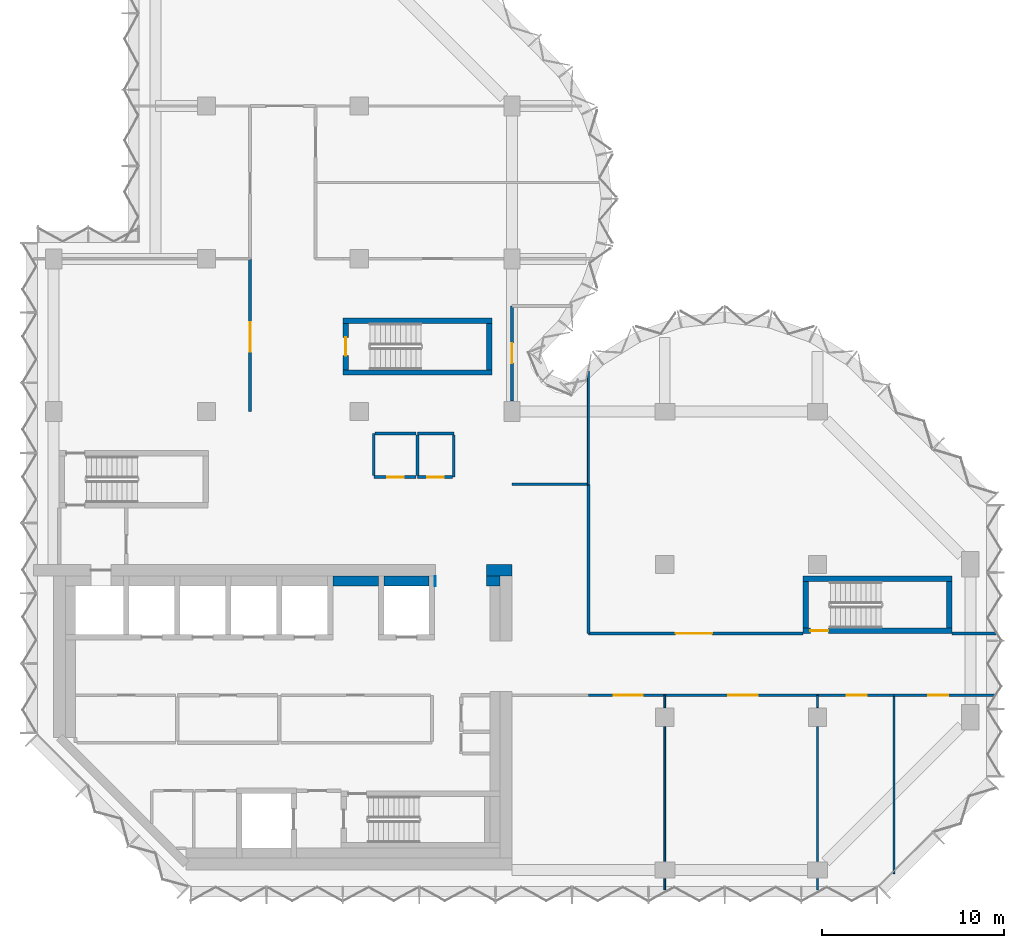
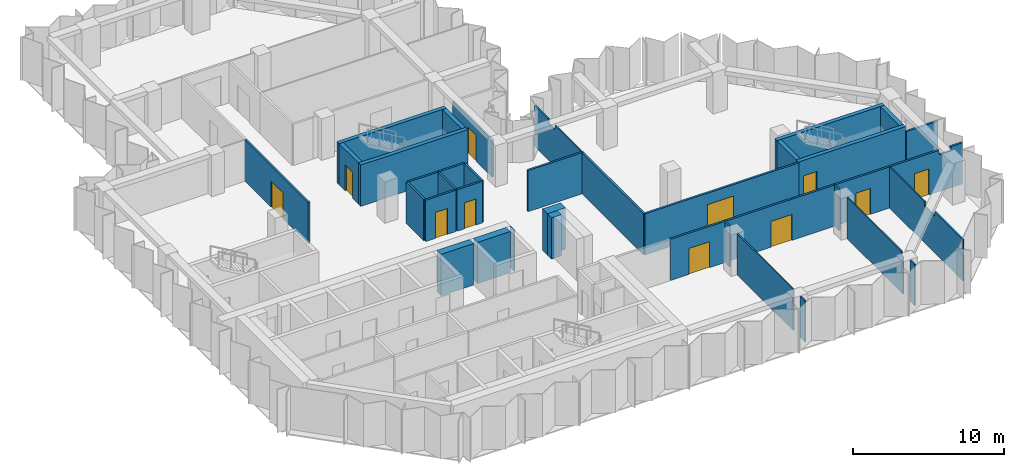
# One storey, part 6 of 9: 38 walls, 11 doors, 11 openings.
"""IFC4 building model written with IfcOpenShell, lengths in metres."""

from ifc_helpers import new_model, si_unit, direction, frame, frame_2d, origin, place, context, subcontext, project, spatial, polyline, rectangle, outline, extrude, material, layer, layer_set, type_object, element, fill, save


model = new_model("IFC4")

# Units and contexts
model_context = context("Model", 3, precision=1e-05, world=origin(), true_north=direction((0.0, 1.0)))
body_context = subcontext(model_context, "Body", "Model", "MODEL_VIEW")
ifc_project = project(units=[si_unit("LENGTHUNIT", "METRE"), si_unit("AREAUNIT", "SQUARE_METRE"), si_unit("VOLUMEUNIT", "CUBIC_METRE"), si_unit("PLANEANGLEUNIT", "RADIAN"), si_unit("MASSUNIT", "GRAM", prefix="KILO")], contexts=[model_context])

# Site, building, storey
site_placement = place(None, origin())
site = spatial("IfcSite", under=ifc_project, at=site_placement, CompositionType="ELEMENT")
building_placement = place(site_placement, origin())
building = spatial("IfcBuilding", under=site, at=building_placement, Name="Brevane Broadcast Tower", CompositionType="ELEMENT")
storey_placement = place(building_placement, frame((0.0, 0.0, 192.0)))
storey = spatial("IfcBuildingStorey", under=building, at=storey_placement, Name="L48", CompositionType="ELEMENT", Elevation=192.0)

# Walls
ifc_material_1 = material(Name="Concrete C32/40", Category="concrete")
ifc_layer_1 = layer(ifc_material_1, 0.550048828125)
ifc_layer_set_1 = layer_set([ifc_layer_1], Name="Core chase wall 550 mm")
wall_type_1 = type_object("IfcWallType", Name="Core chase wall 550 mm", PredefinedType="PARTITIONING", material=ifc_layer_set_1)
wall_1_placement = place(storey_placement, frame((23.800048828125, 15.875, 0.0), z_axis=(0.0, 0.0, 1.0), x_axis=(1.0, 0.0, 0.0)))
element("IfcWall", 1, at=wall_1_placement, inside=storey, type_object=wall_type_1, Name="L48 chase wall LN2", PredefinedType="PARTITIONING", context=body_context, shape_type="SweptSolid", body=[
    extrude(rectangle(XDim=0.75, YDim=0.550048828125, at=frame_2d((0.375, 0.0))), origin(), (0.0, 0.0, 1.0), 3.35009765625),
])
for number, where, z_axis, x_axis, name in (
    (2, (15.35009765625, 15.875, 0.0), (0.0, 0.0, 1.0), (1.0, 0.0, 0.0), "L48 chase wall LN1-2-2-2-2-2-1"),
    (3, (18.14990234375, 15.875, 0.0), (0.0, 0.0, 1.0), (1.0, 0.0, 0.0), "L48 chase wall LN1-2-2-2-2-2-2-1"),
):
    element("IfcWall", number, at=place(storey_placement, frame(where, z_axis=z_axis, x_axis=x_axis)), inside=storey, type_object=wall_type_1, Name=name, PredefinedType="PARTITIONING", context=body_context, shape_type="SweptSolid", body=[
        extrude(rectangle(XDim=2.5, YDim=0.550048828125, at=frame_2d((1.25, 0.0))), origin(), (0.0, 0.0, 1.0), 3.35009765625),
    ])
wall_2_placement = place(storey_placement, frame((20.949951171875, 15.875, 0.0), z_axis=(0.0, 0.0, 1.0), x_axis=(1.0, 0.0, 0.0)))
element("IfcWall", 4, at=wall_2_placement, inside=storey, type_object=wall_type_1, Name="L48 chase wall LN1-2-2-2-2-2-2-2", PredefinedType="PARTITIONING", context=body_context, shape_type="SweptSolid", body=[
    extrude(rectangle(XDim=0.050048828125, YDim=0.550048828125, at=frame_2d((0.02490234375, 0.0))), origin(), (0.0, 0.0, 1.0), 3.35009765625),
])
ifc_material_2 = material(Name="Gypsum board on steel studs", Category="steel")
ifc_layer_2 = layer(ifc_material_2, 0.14990234375)
ifc_layer_set_2 = layer_set([ifc_layer_2], Name="Core fire partition 150 mm")
wall_type_2 = type_object("IfcWallType", Name="Core fire partition 150 mm", PredefinedType="PARTITIONING", material=ifc_layer_set_2)
wall_3_placement = place(storey_placement, frame((20.0, 24.0, 0.0), z_axis=(0.0, 0.0, 1.0), x_axis=(1.0, 0.0, 0.0)))
element("IfcWall", 5, at=wall_3_placement, inside=storey, type_object=wall_type_2, Name="L48 partition wall P22", PredefinedType="PARTITIONING", context=body_context, shape_type="SweptSolid", body=[
    extrude(rectangle(XDim=2.0, YDim=0.14990234375, at=frame_2d((1.0, 0.0))), origin(), (0.0, 0.0, 1.0), 3.35009765625),
])
wall_4_placement = place(storey_placement, frame((22.0, 23.925048828125, 0.0), z_axis=(0.0, 0.0, 1.0), x_axis=(0.0, -1.0, 0.0)))
element("IfcWall", 6, at=wall_4_placement, inside=storey, type_object=wall_type_2, Name="L48 partition wall P23", PredefinedType="PARTITIONING", context=body_context, shape_type="SweptSolid", body=[
    extrude(rectangle(XDim=2.324951171875, YDim=0.14990234375, at=frame_2d((1.16259765625, 0.0))), origin(), (0.0, 0.0, 1.0), 3.35009765625),
])

# Wall, opening, door
wall_5_placement = place(storey_placement, frame((21.925048828125, 21.60009765625, 0.0), z_axis=(0.0, 0.0, 1.0), x_axis=(-1.0, 0.0, 0.0)))
wall_5 = element("IfcWall", 7, at=wall_5_placement, inside=storey, type_object=wall_type_2, Name="L48 partition wall P24", PredefinedType="PARTITIONING", context=body_context, shape_type="SweptSolid", body=[
    extrude(rectangle(XDim=1.925048828125, YDim=0.14990234375, at=frame_2d((0.96240234375, 0.0))), origin(), (0.0, 0.0, 1.0), 3.35009765625),
])
opening_1_placement = place(wall_5_placement, frame((0.47509765625, 0.0, 0.0)))
opening_1 = element("IfcOpeningElement", 8, at=opening_1_placement, cuts=wall_5, Name="Opening L48-K23", PredefinedType="OPENING", context=body_context, shape_type="SweptSolid", body=[
    extrude(rectangle(XDim=0.89990234375, YDim=2.10009765625, at=frame_2d((0.449951171875, 1.050048828125))), frame((0.0, 0.0849609375, 0.0), z_axis=(0.0, -1.0, 0.0), x_axis=(1.0, 0.0, 0.0)), (0.0, 0.0, 1.0), 0.169921875),
])
ifc_material_3 = material(Name="Timber", Category="wood")
door_type_1 = type_object("IfcDoorType", Name="Toilet door 900 x 2100", OperationType="SINGLE_SWING_LEFT", PredefinedType="DOOR", material=ifc_material_3)
door_1_placement = place(opening_1_placement, origin())
door_1 = element("IfcDoor", 9, at=door_1_placement, inside=storey, type_object=door_type_1, Name="Door L48-K23", OperationType="SINGLE_SWING_RIGHT", OverallHeight=2.10009765625, OverallWidth=0.89990234375, PredefinedType="DOOR", context=body_context, shape_type="SweptSolid", body=[
    extrude(rectangle(XDim=0.89990234375, YDim=2.10009765625, at=frame_2d((0.449951171875, 1.050048828125))), frame((0.0, 0.02490234375, 0.0), z_axis=(0.0, -1.0, 0.0), x_axis=(1.0, 0.0, 0.0)), (0.0, 0.0, 1.0), 0.050048828125),
])
fill(opening_1, door_1)

# Wall
wall_6_placement = place(storey_placement, frame((20.0, 21.675048828125, 0.0), z_axis=(0.0, 0.0, 1.0), x_axis=(0.0, 1.0, 0.0)))
element("IfcWall", 10, at=wall_6_placement, inside=storey, type_object=wall_type_2, Name="L48 partition wall P25", PredefinedType="PARTITIONING", context=body_context, shape_type="SweptSolid", body=[
    extrude(rectangle(XDim=2.25, YDim=0.14990234375, at=frame_2d((1.125, 0.0))), origin(), (0.0, 0.0, 1.0), 3.35009765625),
])

# Wall, opening, door
wall_7_placement = place(storey_placement, frame((19.925048828125, 21.60009765625, 0.0), z_axis=(0.0, 0.0, 1.0), x_axis=(-1.0, 0.0, 0.0)))
wall_7 = element("IfcWall", 11, at=wall_7_placement, inside=storey, type_object=wall_type_2, Name="L48 partition wall P26", PredefinedType="PARTITIONING", context=body_context, shape_type="SweptSolid", body=[
    extrude(rectangle(XDim=2.324951171875, YDim=0.14990234375, at=frame_2d((1.16259765625, 0.0))), origin(), (0.0, 0.0, 1.0), 3.35009765625),
])
opening_2_placement = place(wall_7_placement, frame((0.675048828125, 0.0, 0.0)))
opening_2 = element("IfcOpeningElement", 12, at=opening_2_placement, cuts=wall_7, Name="Opening L48-K24", PredefinedType="OPENING", context=body_context, shape_type="SweptSolid", body=[
    extrude(rectangle(XDim=0.89990234375, YDim=2.10009765625, at=frame_2d((0.449951171875, 1.050048828125))), frame((0.0, 0.0849609375, 0.0), z_axis=(0.0, -1.0, 0.0), x_axis=(1.0, 0.0, 0.0)), (0.0, 0.0, 1.0), 0.169921875),
])
ifc_material_4 = material(Name="Steel", Category="steel")
door_type_2 = type_object("IfcDoorType", Name="Service room door 900 x 2100", OperationType="SINGLE_SWING_LEFT", PredefinedType="DOOR", material=ifc_material_4)
door_2_placement = place(opening_2_placement, origin())
door_2 = element("IfcDoor", 13, at=door_2_placement, inside=storey, type_object=door_type_2, Name="Door L48-K24", OperationType="SINGLE_SWING_LEFT", OverallHeight=2.10009765625, OverallWidth=0.89990234375, PredefinedType="DOOR", context=body_context, shape_type="SweptSolid", body=[
    extrude(rectangle(XDim=0.89990234375, YDim=2.10009765625, at=frame_2d((0.449951171875, 1.050048828125))), frame((0.0, 0.02490234375, 0.0), z_axis=(0.0, -1.0, 0.0), x_axis=(1.0, 0.0, 0.0)), (0.0, 0.0, 1.0), 0.050048828125),
])
fill(opening_2, door_2)

# Walls
wall_8_placement = place(storey_placement, frame((17.60009765625, 21.675048828125, 0.0), z_axis=(0.0, 0.0, 1.0), x_axis=(0.0, 1.0, 0.0)))
element("IfcWall", 14, at=wall_8_placement, inside=storey, type_object=wall_type_2, Name="L48 partition wall P27", PredefinedType="PARTITIONING", context=body_context, shape_type="SweptSolid", body=[
    extrude(rectangle(XDim=2.324951171875, YDim=0.14990234375, at=frame_2d((1.16259765625, 0.0))), origin(), (0.0, 0.0, 1.0), 3.35009765625),
])
wall_9_placement = place(storey_placement, frame((17.675048828125, 24.0, 0.0), z_axis=(0.0, 0.0, 1.0), x_axis=(1.0, 0.0, 0.0)))
element("IfcWall", 15, at=wall_9_placement, inside=storey, type_object=wall_type_2, Name="L48 partition wall P28", PredefinedType="PARTITIONING", context=body_context, shape_type="SweptSolid", body=[
    extrude(rectangle(XDim=2.25, YDim=0.14990234375, at=frame_2d((1.125, 0.0))), origin(), (0.0, 0.0, 1.0), 3.35009765625),
])
ifc_material_5 = material(Name="Concrete C60/75", Category="concrete")
ifc_layer_3 = layer(ifc_material_5, 0.300048828125)
ifc_layer_set_3 = layer_set([ifc_layer_3], Name="Core wall 300 mm C60/75")
wall_type_3 = type_object("IfcWallType", Name="Core wall 300 mm C60/75", PredefinedType="SHEAR", material=ifc_layer_set_3)
for number, where, z_axis, x_axis, name in (
    (16, (15.89990234375, 27.35009765625, 0.0), (0.0, 0.0, 1.0), (1.0, 0.0, 0.0), "L48 stair wall ST-3-S"),
    (17, (15.89990234375, 30.199951171875, 0.0), (0.0, 0.0, 1.0), (1.0, 0.0, 0.0), "L48 stair wall ST-3-N"),
):
    element("IfcWall", number, at=place(storey_placement, frame(where, z_axis=z_axis, x_axis=x_axis)), inside=storey, type_object=wall_type_3, Name=name, PredefinedType="SHEAR", context=body_context, shape_type="SweptSolid", body=[
        extrude(rectangle(XDim=8.2001953125, YDim=0.300048828125, at=frame_2d((4.10009765625, 0.0))), origin(), (0.0, 0.0, 1.0), 3.35009765625),
    ])

# Wall, opening, door
wall_10_placement = place(storey_placement, frame((16.050048828125, 27.5, 0.0), z_axis=(0.0, 0.0, 1.0), x_axis=(0.0, 1.0, 0.0)))
wall_10 = element("IfcWall", 18, at=wall_10_placement, inside=storey, type_object=wall_type_3, Name="L48 stair wall ST-3-W", PredefinedType="SHEAR", context=body_context, shape_type="SweptSolid", body=[
    extrude(rectangle(XDim=2.550048828125, YDim=0.300048828125, at=frame_2d((1.27490234375, 0.0))), origin(), (0.0, 0.0, 1.0), 3.35009765625),
])
opening_3_placement = place(wall_10_placement, frame((0.77490234375, 0.0, 0.0)))
opening_3 = element("IfcOpeningElement", 19, at=opening_3_placement, cuts=wall_10, Name="Opening L48-K12", PredefinedType="OPENING", context=body_context, shape_type="SweptSolid", body=[
    extrude(rectangle(XDim=1.0, YDim=2.10009765625, at=frame_2d((0.5, 1.050048828125))), frame((0.0, 0.159912109375, 0.0), z_axis=(0.0, -1.0, 0.0), x_axis=(1.0, 0.0, 0.0)), (0.0, 0.0, 1.0), 0.320068359375),
])
door_type_3 = type_object("IfcDoorType", Name="Stair door 1000 x 2100", OperationType="SINGLE_SWING_LEFT", PredefinedType="DOOR", material=ifc_material_4)
door_3_placement = place(opening_3_placement, origin())
door_3 = element("IfcDoor", 20, at=door_3_placement, inside=storey, type_object=door_type_3, Name="Door L48-K12", OperationType="SINGLE_SWING_LEFT", OverallHeight=2.10009765625, OverallWidth=1.0, PredefinedType="DOOR", context=body_context, shape_type="SweptSolid", body=[
    extrude(rectangle(XDim=1.0, YDim=2.10009765625, at=frame_2d((0.5, 1.050048828125))), frame((0.0, 0.02490234375, 0.0), z_axis=(0.0, -1.0, 0.0), x_axis=(1.0, 0.0, 0.0)), (0.0, 0.0, 1.0), 0.050048828125),
])
fill(opening_3, door_3)

# Wall
wall_11_placement = place(storey_placement, frame((23.949951171875, 27.5, 0.0), z_axis=(0.0, 0.0, 1.0), x_axis=(0.0, 1.0, 0.0)))
element("IfcWall", 21, at=wall_11_placement, inside=storey, type_object=wall_type_3, Name="L48 stair wall ST-3-E", PredefinedType="SHEAR", context=body_context, shape_type="SweptSolid", body=[
    extrude(rectangle(XDim=2.550048828125, YDim=0.300048828125, at=frame_2d((1.27490234375, 0.0))), origin(), (0.0, 0.0, 1.0), 3.35009765625),
])

# Wall, opening, door
wall_12_placement = place(storey_placement, frame((49.39990234375, 13.14990234375, 0.0), z_axis=(0.0, 0.0, 1.0), x_axis=(-1.0, 0.0, 0.0)))
wall_12 = element("IfcWall", 22, at=wall_12_placement, inside=storey, type_object=wall_type_3, Name="L48 stair wall ST-4-S", PredefinedType="SHEAR", context=body_context, shape_type="SweptSolid", body=[
    extrude(rectangle(XDim=8.199951171875, YDim=0.300048828125, at=frame_2d((4.10009765625, 0.0))), origin(), (0.0, 0.0, 1.0), 3.35009765625),
])
opening_4_placement = place(wall_12_placement, frame((6.800048828125, 0.0, 0.0)))
opening_4 = element("IfcOpeningElement", 23, at=opening_4_placement, cuts=wall_12, Name="Opening L48-K13", PredefinedType="OPENING", context=body_context, shape_type="SweptSolid", body=[
    extrude(rectangle(XDim=1.0, YDim=2.10009765625, at=frame_2d((0.5, 1.050048828125))), frame((0.0, 0.159912109375, 0.0), z_axis=(0.0, -1.0, 0.0), x_axis=(1.0, 0.0, 0.0)), (0.0, 0.0, 1.0), 0.320068359375),
])
door_4_placement = place(opening_4_placement, origin())
door_4 = element("IfcDoor", 24, at=door_4_placement, inside=storey, type_object=door_type_3, Name="Door L48-K13", OperationType="SINGLE_SWING_RIGHT", OverallHeight=2.10009765625, OverallWidth=1.0, PredefinedType="DOOR", context=body_context, shape_type="SweptSolid", body=[
    extrude(rectangle(XDim=1.0, YDim=2.10009765625, at=frame_2d((0.5, 1.050048828125))), frame((0.0, 0.02490234375, 0.0), z_axis=(0.0, -1.0, 0.0), x_axis=(1.0, 0.0, 0.0)), (0.0, 0.0, 1.0), 0.050048828125),
])
fill(opening_4, door_4)

# Walls
wall_13_placement = place(storey_placement, frame((41.199951171875, 16.0, 0.0), z_axis=(0.0, 0.0, 1.0), x_axis=(1.0, 0.0, 0.0)))
element("IfcWall", 25, at=wall_13_placement, inside=storey, type_object=wall_type_3, Name="L48 stair wall ST-4-N", PredefinedType="SHEAR", context=body_context, shape_type="SweptSolid", body=[
    extrude(rectangle(XDim=8.199951171875, YDim=0.300048828125, at=frame_2d((4.10009765625, 0.0))), origin(), (0.0, 0.0, 1.0), 3.35009765625),
])
for number, where, z_axis, x_axis, name in (
    (26, (41.35009765625, 13.300048828125, 0.0), (0.0, 0.0, 1.0), (0.0, 1.0, 0.0), "L48 stair wall ST-4-W"),
    (27, (49.25, 13.300048828125, 0.0), (0.0, 0.0, 1.0), (0.0, 1.0, 0.0), "L48 stair wall ST-4-E"),
):
    element("IfcWall", number, at=place(storey_placement, frame(where, z_axis=z_axis, x_axis=x_axis)), inside=storey, type_object=wall_type_3, Name=name, PredefinedType="SHEAR", context=body_context, shape_type="SweptSolid", body=[
        extrude(rectangle(XDim=2.550048828125, YDim=0.300048828125, at=frame_2d((1.27490234375, 0.0))), origin(), (0.0, 0.0, 1.0), 3.35009765625),
    ])
ifc_layer_4 = layer(ifc_material_5, 0.64990234375)
ifc_layer_set_4 = layer_set([ifc_layer_4], Name="Core wall 650 mm C60/75")
wall_type_4 = type_object("IfcWallType", Name="Core wall 650 mm C60/75", PredefinedType="SHEAR", material=ifc_layer_set_4)
wall_14_placement = place(storey_placement, frame((23.800048828125, 16.47509765625, 0.0), z_axis=(0.0, 0.0, 1.0), x_axis=(1.0, 0.0, 0.0)))
element("IfcWall", 28, at=wall_14_placement, inside=storey, type_object=wall_type_4, Name="L48 outer wall WN2", PredefinedType="SHEAR", context=body_context, shape_type="SweptSolid", body=[
    extrude(rectangle(XDim=1.39990234375, YDim=0.64990234375, at=frame_2d((0.699951171875, 0.0))), origin(), (0.0, 0.0, 1.0), 3.35009765625),
])
ifc_material_6 = material(Name="Gypsum board partition")
ifc_layer_5 = layer(ifc_material_6, 0.10009765625)
ifc_layer_set_5 = layer_set([ifc_layer_5], Name="PARTITION 100 STUD")
wall_type_5 = type_object("IfcWallType", Name="PARTITION 100 STUD", PredefinedType="PARTITIONING", material=ifc_layer_set_5)
wall_15_placement = place(storey_placement, frame((29.39990234375, 27.428955078125, 0.0), z_axis=(0.0, 0.0, 1.0), x_axis=(0.0, -1.0, 0.0)))
element("IfcWall", 29, at=wall_15_placement, inside=storey, type_object=wall_type_5, Name="Partition G14-004", PredefinedType="PARTITIONING", context=body_context, shape_type="SweptSolid", body=[
    extrude(outline(polyline([(0.0, 0.0), (6.22900390625, 0.0), (6.22900390625, 3.330078125), (2.678955078125, 3.330078125), (2.677001953125, 2.97998046875), (1.781005859375, 2.97998046875), (1.779052734375, 3.330078125), (0.154052734375, 3.330078125), (0.0, 3.330078125), (0.0, 0.0)])), frame((0.0, 0.050048828125, 0.0), z_axis=(0.0, -1.0, 0.0), x_axis=(1.0, 0.0, 0.0)), (0.0, 0.0, 1.0), 0.10009765625),
])
wall_16_placement = place(storey_placement, frame((33.60009765625, 9.60009765625, 0.0), z_axis=(0.0, 0.0, 1.0), x_axis=(0.0, -1.0, 0.0)))
element("IfcWall", 30, at=wall_16_placement, inside=storey, type_object=wall_type_5, Name="Partition G14-013", PredefinedType="PARTITIONING", context=body_context, shape_type="SweptSolid", body=[
    extrude(rectangle(XDim=0.68017578125, YDim=0.10009765625, at=frame_2d((0.340087890625, 0.0))), origin(), (0.0, 0.0, 1.0), 3.330078125),
])
wall_17_placement = place(storey_placement, frame((33.60009765625, 7.8798828125, 0.0), z_axis=(0.0, 0.0, 1.0), x_axis=(0.0, -1.0, 0.0)))
element("IfcWall", 31, at=wall_17_placement, inside=storey, type_object=wall_type_5, Name="Partition G14-014", PredefinedType="PARTITIONING", context=body_context, shape_type="SweptSolid", body=[
    extrude(rectangle(XDim=7.409912109375, YDim=0.10009765625, at=frame_2d((3.705078125, 0.0))), origin(), (0.0, 0.0, 1.0), 3.330078125),
])
wall_18_placement = place(storey_placement, frame((33.60009765625, -0.469970703125, 0.0), z_axis=(0.0, 0.0, 1.0), x_axis=(0.0, -1.0, 0.0)))
element("IfcWall", 32, at=wall_18_placement, inside=storey, type_object=wall_type_5, Name="Partition G14-015", PredefinedType="PARTITIONING", context=body_context, shape_type="SweptSolid", body=[
    extrude(rectangle(XDim=0.630126953125, YDim=0.10009765625, at=frame_2d((0.31494140625, 0.0))), origin(), (0.0, 0.0, 1.0), 3.330078125),
])
wall_19_placement = place(storey_placement, frame((42.0, 9.60009765625, 0.0), z_axis=(0.0, 0.0, 1.0), x_axis=(0.0, -1.0, 0.0)))
element("IfcWall", 33, at=wall_19_placement, inside=storey, type_object=wall_type_5, Name="Partition G14-016", PredefinedType="PARTITIONING", context=body_context, shape_type="SweptSolid", body=[
    extrude(rectangle(XDim=0.68017578125, YDim=0.10009765625, at=frame_2d((0.340087890625, 0.0))), origin(), (0.0, 0.0, 1.0), 3.330078125),
])
wall_20_placement = place(storey_placement, frame((42.0, 7.8798828125, 0.0), z_axis=(0.0, 0.0, 1.0), x_axis=(0.0, -1.0, 0.0)))
element("IfcWall", 34, at=wall_20_placement, inside=storey, type_object=wall_type_5, Name="Partition G14-017", PredefinedType="PARTITIONING", context=body_context, shape_type="SweptSolid", body=[
    extrude(outline(polyline([(0.0, 0.0), (7.409912109375, 0.0), (7.409912109375, 2.97998046875), (7.21630859375, 2.97998046875), (7.21435546875, 3.330078125), (0.0, 3.330078125), (0.0, 0.0)])), frame((0.0, 0.050048828125, 0.0), z_axis=(0.0, -1.0, 0.0), x_axis=(1.0, 0.0, 0.0)), (0.0, 0.0, 1.0), 0.10009765625),
])
wall_21_placement = place(storey_placement, frame((42.0, -0.469970703125, 0.0), z_axis=(0.0, 0.0, 1.0), x_axis=(0.0, -1.0, 0.0)))
element("IfcWall", 35, at=wall_21_placement, inside=storey, type_object=wall_type_5, Name="Partition G14-018", PredefinedType="PARTITIONING", context=body_context, shape_type="SweptSolid", body=[
    extrude(rectangle(XDim=0.630126953125, YDim=0.10009765625, at=frame_2d((0.31494140625, 0.0))), origin(), (0.0, 0.0, 1.0), 3.330078125),
])
wall_22_placement = place(storey_placement, frame((46.199951171875, 9.60009765625, 0.0), z_axis=(0.0, 0.0, 1.0), x_axis=(0.0, -1.0, 0.0)))
element("IfcWall", 36, at=wall_22_placement, inside=storey, type_object=wall_type_5, Name="Partition G14-019", PredefinedType="PARTITIONING", context=body_context, shape_type="SweptSolid", body=[
    extrude(outline(polyline([(0.0, 0.0), (9.800048828125, 0.0), (9.800048828125, 3.330078125), (6.065673828125, 3.330078125), (6.063720703125, 2.97998046875), (4.736328125, 2.97998046875), (4.734375, 3.330078125), (0.0, 3.330078125), (0.0, 0.0)])), frame((0.0, 0.050048828125, 0.0), z_axis=(0.0, -1.0, 0.0), x_axis=(1.0, 0.0, 0.0)), (0.0, 0.0, 1.0), 0.10009765625),
])
ifc_layer_6 = layer(ifc_material_6, 0.14990234375)
ifc_layer_set_6 = layer_set([ifc_layer_6], Name="PARTITION 150 EI 60")
wall_type_6 = type_object("IfcWallType", Name="PARTITION 150 EI 60", PredefinedType="PARTITIONING", material=ifc_layer_set_6)
wall_23_placement = place(storey_placement, frame((25.199951171875, 21.199951171875, 0.0), z_axis=(0.0, 0.0, 1.0), x_axis=(1.0, 0.0, 0.0)))
element("IfcWall", 37, at=wall_23_placement, inside=storey, type_object=wall_type_6, Name="Partition G14-001", PredefinedType="PARTITIONING", context=body_context, shape_type="SweptSolid", body=[
    extrude(rectangle(XDim=4.199951171875, YDim=0.14990234375, at=frame_2d((2.10009765625, 0.0))), origin(), (0.0, 0.0, 1.0), 3.330078125),
])
wall_24_placement = place(storey_placement, frame((29.39990234375, 21.199951171875, 0.0), z_axis=(0.0, 0.0, 1.0), x_axis=(0.0, -1.0, 0.0)))
element("IfcWall", 38, at=wall_24_placement, inside=storey, type_object=wall_type_6, Name="Partition G14-003", PredefinedType="PARTITIONING", context=body_context, shape_type="SweptSolid", body=[
    extrude(rectangle(XDim=8.199951171875, YDim=0.14990234375, at=frame_2d((4.10009765625, 0.0))), origin(), (0.0, 0.0, 1.0), 3.330078125),
])

# Wall, opening, door
wall_25_placement = place(storey_placement, frame((25.199951171875, 31.0, 0.0), z_axis=(0.0, 0.0, 1.0), x_axis=(0.0, -1.0, 0.0)))
wall_25 = element("IfcWall", 39, at=wall_25_placement, inside=storey, type_object=wall_type_6, Name="Partition G14-005", PredefinedType="PARTITIONING", context=body_context, shape_type="SweptSolid", body=[
    extrude(outline(polyline([(0.0, 0.0), (5.22998046875, 0.0), (5.22998046875, 2.97998046875), (0.0, 2.97998046875), (0.0, 0.0)])), frame((0.0, 0.074951171875, 0.0), z_axis=(0.0, -1.0, 0.0), x_axis=(1.0, 0.0, 0.0)), (0.0, 0.0, 1.0), 0.14990234375),
])
opening_5_placement = place(wall_25_placement, frame((2.030029296875, 0.0, 0.0)))
opening_5 = element("IfcOpeningElement", 40, at=opening_5_placement, cuts=wall_25, Name="Opening D23-001", PredefinedType="OPENING", context=body_context, shape_type="SweptSolid", body=[
    extrude(rectangle(XDim=1.10009765625, YDim=2.10009765625, at=frame_2d((0.550048828125, 1.050048828125))), frame((0.0, 0.0849609375, 0.0), z_axis=(0.0, -1.0, 0.0), x_axis=(1.0, 0.0, 0.0)), (0.0, 0.0, 1.0), 0.169921875),
])
ifc_material_7 = material(Name="Fire-rated timber door leaf", Category="wood")
door_type_4 = type_object("IfcDoorType", Name="DOOR SINGLE 1100 FD30S", OperationType="SINGLE_SWING_LEFT", PredefinedType="DOOR", material=ifc_material_7)
door_5_placement = place(opening_5_placement, origin())
door_5 = element("IfcDoor", 41, at=door_5_placement, inside=storey, type_object=door_type_4, Name="Door D23-001", OperationType="SINGLE_SWING_RIGHT", OverallHeight=2.10009765625, OverallWidth=1.10009765625, PredefinedType="DOOR", context=body_context, shape_type="SweptSolid", body=[
    extrude(rectangle(XDim=1.10009765625, YDim=2.10009765625, at=frame_2d((0.550048828125, 1.050048828125))), frame((0.0, 0.02490234375, 0.0), z_axis=(0.0, -1.0, 0.0), x_axis=(1.0, 0.0, 0.0)), (0.0, 0.0, 1.0), 0.050048828125),
])
fill(opening_5, door_5)

wall_26_placement = place(storey_placement, frame((33.60009765625, 9.60009765625, 0.0), z_axis=(0.0, 0.0, 1.0), x_axis=(-1.0, 0.0, 0.0)))
wall_26 = element("IfcWall", 42, at=wall_26_placement, inside=storey, type_object=wall_type_6, Name="Partition G14-007", PredefinedType="PARTITIONING", context=body_context, shape_type="SweptSolid", body=[
    extrude(rectangle(XDim=4.2001953125, YDim=0.14990234375, at=frame_2d((2.10009765625, 0.0))), origin(), (0.0, 0.0, 1.0), 3.330078125),
])
opening_6_placement = place(wall_26_placement, frame((1.199951171875, 0.0, 0.0)))
opening_6 = element("IfcOpeningElement", 43, at=opening_6_placement, cuts=wall_26, Name="Opening D23-002", PredefinedType="OPENING", context=body_context, shape_type="SweptSolid", body=[
    extrude(rectangle(XDim=1.60009765625, YDim=2.10009765625, at=frame_2d((0.800048828125, 1.050048828125))), frame((0.0, 0.0849609375, 0.0), z_axis=(0.0, -1.0, 0.0), x_axis=(1.0, 0.0, 0.0)), (0.0, 0.0, 1.0), 0.169921875),
])
door_type_5 = type_object("IfcDoorType", Name="DOOR DOUBLE 1600 FD30S", OperationType="DOUBLE_DOOR_SINGLE_SWING", PredefinedType="DOOR", material=ifc_material_7)
door_6_placement = place(opening_6_placement, origin())
door_6 = element("IfcDoor", 44, at=door_6_placement, inside=storey, type_object=door_type_5, Name="Door D23-002", OperationType="DOUBLE_DOOR_SINGLE_SWING", OverallHeight=2.10009765625, OverallWidth=1.60009765625, PredefinedType="DOOR", context=body_context, shape_type="SweptSolid", body=[
    extrude(rectangle(XDim=1.60009765625, YDim=2.10009765625, at=frame_2d((0.800048828125, 1.050048828125))), frame((0.0, 0.02490234375, 0.0), z_axis=(0.0, -1.0, 0.0), x_axis=(1.0, 0.0, 0.0)), (0.0, 0.0, 1.0), 0.050048828125),
])
fill(opening_6, door_6)

wall_27_placement = place(storey_placement, frame((42.0, 9.60009765625, 0.0), z_axis=(0.0, 0.0, 1.0), x_axis=(-1.0, 0.0, 0.0)))
wall_27 = element("IfcWall", 45, at=wall_27_placement, inside=storey, type_object=wall_type_6, Name="Partition G14-008", PredefinedType="PARTITIONING", context=body_context, shape_type="SweptSolid", body=[
    extrude(rectangle(XDim=8.39990234375, YDim=0.14990234375, at=frame_2d((4.199951171875, 0.0))), origin(), (0.0, 0.0, 1.0), 3.330078125),
])
opening_7_placement = place(wall_27_placement, frame((3.300048828125, 0.0, 0.0)))
opening_7 = element("IfcOpeningElement", 46, at=opening_7_placement, cuts=wall_27, Name="Opening D23-003", PredefinedType="OPENING", context=body_context, shape_type="SweptSolid", body=[
    extrude(rectangle(XDim=1.60009765625, YDim=2.10009765625, at=frame_2d((0.800048828125, 1.050048828125))), frame((0.0, 0.0849609375, 0.0), z_axis=(0.0, -1.0, 0.0), x_axis=(1.0, 0.0, 0.0)), (0.0, 0.0, 1.0), 0.169921875),
])
door_7_placement = place(opening_7_placement, origin())
door_7 = element("IfcDoor", 47, at=door_7_placement, inside=storey, type_object=door_type_5, Name="Door D23-003", OperationType="DOUBLE_DOOR_SINGLE_SWING", OverallHeight=2.10009765625, OverallWidth=1.60009765625, PredefinedType="DOOR", context=body_context, shape_type="SweptSolid", body=[
    extrude(rectangle(XDim=1.60009765625, YDim=2.10009765625, at=frame_2d((0.800048828125, 1.050048828125))), frame((0.0, 0.02490234375, 0.0), z_axis=(0.0, -1.0, 0.0), x_axis=(1.0, 0.0, 0.0)), (0.0, 0.0, 1.0), 0.050048828125),
])
fill(opening_7, door_7)

wall_28_placement = place(storey_placement, frame((46.199951171875, 9.60009765625, 0.0), z_axis=(0.0, 0.0, 1.0), x_axis=(-1.0, 0.0, 0.0)))
wall_28 = element("IfcWall", 48, at=wall_28_placement, inside=storey, type_object=wall_type_6, Name="Partition G14-009", PredefinedType="PARTITIONING", context=body_context, shape_type="SweptSolid", body=[
    extrude(rectangle(XDim=4.199951171875, YDim=0.14990234375, at=frame_2d((2.10009765625, 0.0))), origin(), (0.0, 0.0, 1.0), 3.330078125),
])
opening_8_placement = place(wall_28_placement, frame((1.5, 0.0, 0.0)))
opening_8 = element("IfcOpeningElement", 49, at=opening_8_placement, cuts=wall_28, Name="Opening D23-004", PredefinedType="OPENING", context=body_context, shape_type="SweptSolid", body=[
    extrude(rectangle(XDim=1.10009765625, YDim=2.10009765625, at=frame_2d((0.550048828125, 1.050048828125))), frame((0.0, 0.0849609375, 0.0), z_axis=(0.0, -1.0, 0.0), x_axis=(1.0, 0.0, 0.0)), (0.0, 0.0, 1.0), 0.169921875),
])
door_8_placement = place(opening_8_placement, origin())
door_8 = element("IfcDoor", 50, at=door_8_placement, inside=storey, type_object=door_type_4, Name="Door D23-004", OperationType="SINGLE_SWING_LEFT", OverallHeight=2.10009765625, OverallWidth=1.10009765625, PredefinedType="DOOR", context=body_context, shape_type="SweptSolid", body=[
    extrude(rectangle(XDim=1.10009765625, YDim=2.10009765625, at=frame_2d((0.550048828125, 1.050048828125))), frame((0.0, 0.02490234375, 0.0), z_axis=(0.0, -1.0, 0.0), x_axis=(1.0, 0.0, 0.0)), (0.0, 0.0, 1.0), 0.050048828125),
])
fill(opening_8, door_8)

wall_29_placement = place(storey_placement, frame((51.73046875, 9.60009765625, 0.0), z_axis=(0.0, 0.0, 1.0), x_axis=(-1.0, 0.0, 0.0)))
wall_29 = element("IfcWall", 51, at=wall_29_placement, inside=storey, type_object=wall_type_6, Name="Partition G14-010", PredefinedType="PARTITIONING", context=body_context, shape_type="SweptSolid", body=[
    extrude(outline(polyline([(0.0, 0.0), (5.530517578125, 0.0), (5.530517578125, 3.330078125), (1.780517578125, 3.330078125), (1.778564453125, 2.97998046875), (0.882568359375, 2.97998046875), (0.880615234375, 3.330078125), (0.25048828125, 3.330078125), (0.0, 3.330078125), (0.0, 0.0)])), frame((0.0, 0.074951171875, 0.0), z_axis=(0.0, -1.0, 0.0), x_axis=(1.0, 0.0, 0.0)), (0.0, 0.0, 1.0), 0.14990234375),
])
opening_9_placement = place(wall_29_placement, frame((2.550537109375, 0.0, 0.0)))
opening_9 = element("IfcOpeningElement", 52, at=opening_9_placement, cuts=wall_29, Name="Opening D23-005", PredefinedType="OPENING", context=body_context, shape_type="SweptSolid", body=[
    extrude(rectangle(XDim=1.10009765625, YDim=2.10009765625, at=frame_2d((0.550048828125, 1.050048828125))), frame((0.0, 0.0849609375, 0.0), z_axis=(0.0, -1.0, 0.0), x_axis=(1.0, 0.0, 0.0)), (0.0, 0.0, 1.0), 0.169921875),
])
door_9_placement = place(opening_9_placement, origin())
door_9 = element("IfcDoor", 53, at=door_9_placement, inside=storey, type_object=door_type_4, Name="Door D23-005", OperationType="SINGLE_SWING_LEFT", OverallHeight=2.10009765625, OverallWidth=1.10009765625, PredefinedType="DOOR", context=body_context, shape_type="SweptSolid", body=[
    extrude(rectangle(XDim=1.10009765625, YDim=2.10009765625, at=frame_2d((0.550048828125, 1.050048828125))), frame((0.0, 0.02490234375, 0.0), z_axis=(0.0, -1.0, 0.0), x_axis=(1.0, 0.0, 0.0)), (0.0, 0.0, 1.0), 0.050048828125),
])
fill(opening_9, door_9)

wall_30_placement = place(storey_placement, frame((29.39990234375, 13.0, 0.0), z_axis=(0.0, 0.0, 1.0), x_axis=(1.0, 0.0, 0.0)))
wall_30 = element("IfcWall", 54, at=wall_30_placement, inside=storey, type_object=wall_type_6, Name="Partition G14-011", PredefinedType="PARTITIONING", context=body_context, shape_type="SweptSolid", body=[
    extrude(rectangle(XDim=11.800048828125, YDim=0.14990234375, at=frame_2d((5.89990234375, 0.0))), origin(), (0.0, 0.0, 1.0), 3.330078125),
])
opening_10_placement = place(wall_30_placement, frame((4.800048828125, 0.0, 0.0)))
opening_10 = element("IfcOpeningElement", 55, at=opening_10_placement, cuts=wall_30, Name="Opening D23-006", PredefinedType="OPENING", context=body_context, shape_type="SweptSolid", body=[
    extrude(rectangle(XDim=2.0, YDim=2.39990234375, at=frame_2d((1.0, 1.199951171875))), frame((0.0, 0.0849609375, 0.0), z_axis=(0.0, -1.0, 0.0), x_axis=(1.0, 0.0, 0.0)), (0.0, 0.0, 1.0), 0.169921875),
])
door_type_6 = type_object("IfcDoorType", Name="DOOR DOUBLE 2000 FD30S", OperationType="DOUBLE_DOOR_SINGLE_SWING", PredefinedType="DOOR", material=ifc_material_7)
door_10_placement = place(opening_10_placement, origin())
door_10 = element("IfcDoor", 56, at=door_10_placement, inside=storey, type_object=door_type_6, Name="Door D23-006", OperationType="DOUBLE_DOOR_SINGLE_SWING", OverallHeight=2.39990234375, OverallWidth=2.0, PredefinedType="DOOR", context=body_context, shape_type="SweptSolid", body=[
    extrude(rectangle(XDim=2.0, YDim=2.39990234375, at=frame_2d((1.0, 1.199951171875))), frame((0.0, 0.02490234375, 0.0), z_axis=(0.0, -1.0, 0.0), x_axis=(1.0, 0.0, 0.0)), (0.0, 0.0, 1.0), 0.050048828125),
])
fill(opening_10, door_10)

# Wall
wall_31_placement = place(storey_placement, frame((49.39990234375, 13.0, 0.0), z_axis=(0.0, 0.0, 1.0), x_axis=(1.0, 0.0, 0.0)))
element("IfcWall", 57, at=wall_31_placement, inside=storey, type_object=wall_type_6, Name="Partition G14-012", PredefinedType="PARTITIONING", context=body_context, shape_type="SweptSolid", body=[
    extrude(rectangle(XDim=2.419677734375, YDim=0.14990234375, at=frame_2d((1.2099609375, 0.0))), origin(), (0.0, 0.0, 1.0), 2.97998046875),
])

# Wall, opening, door
wall_32_placement = place(storey_placement, frame((10.800048828125, 25.199951171875, 0.0), z_axis=(0.0, 0.0, 1.0), x_axis=(0.0, 1.0, 0.0)))
wall_32 = element("IfcWall", 58, at=wall_32_placement, inside=storey, type_object=wall_type_6, Name="Partition G14-020", PredefinedType="PARTITIONING", context=body_context, shape_type="SweptSolid", body=[
    extrude(rectangle(XDim=8.400146484375, YDim=0.14990234375, at=frame_2d((4.2001953125, 0.0))), origin(), (0.0, 0.0, 1.0), 3.330078125),
])
opening_11_placement = place(wall_32_placement, frame((3.300048828125, 0.0, 0.0)))
opening_11 = element("IfcOpeningElement", 59, at=opening_11_placement, cuts=wall_32, Name="Opening D23-008", PredefinedType="OPENING", context=body_context, shape_type="SweptSolid", body=[
    extrude(rectangle(XDim=1.60009765625, YDim=2.10009765625, at=frame_2d((0.800048828125, 1.050048828125))), frame((0.0, 0.0849609375, 0.0), z_axis=(0.0, -1.0, 0.0), x_axis=(1.0, 0.0, 0.0)), (0.0, 0.0, 1.0), 0.169921875),
])
door_11_placement = place(opening_11_placement, origin())
door_11 = element("IfcDoor", 60, at=door_11_placement, inside=storey, type_object=door_type_5, Name="Door D23-008", OperationType="DOUBLE_DOOR_SINGLE_SWING", OverallHeight=2.10009765625, OverallWidth=1.60009765625, PredefinedType="DOOR", context=body_context, shape_type="SweptSolid", body=[
    extrude(rectangle(XDim=1.60009765625, YDim=2.10009765625, at=frame_2d((0.800048828125, 1.050048828125))), frame((0.0, 0.02490234375, 0.0), z_axis=(0.0, -1.0, 0.0), x_axis=(1.0, 0.0, 0.0)), (0.0, 0.0, 1.0), 0.050048828125),
])
fill(opening_11, door_11)

save(model, "model.ifc")
